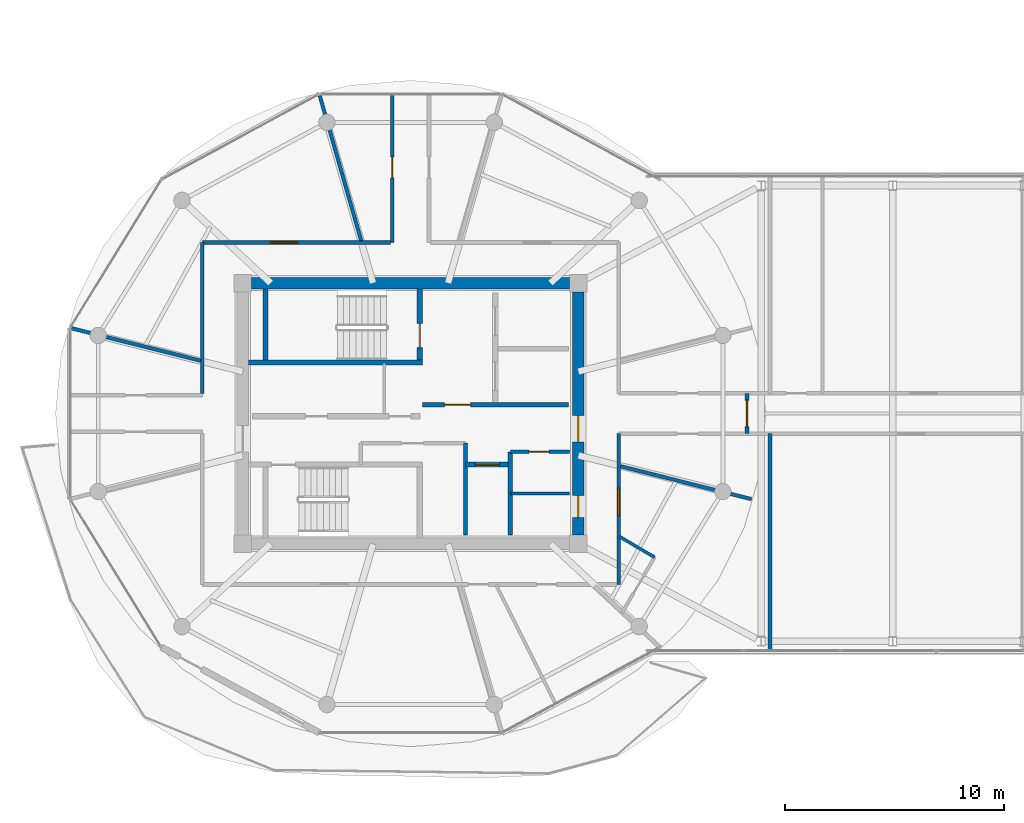
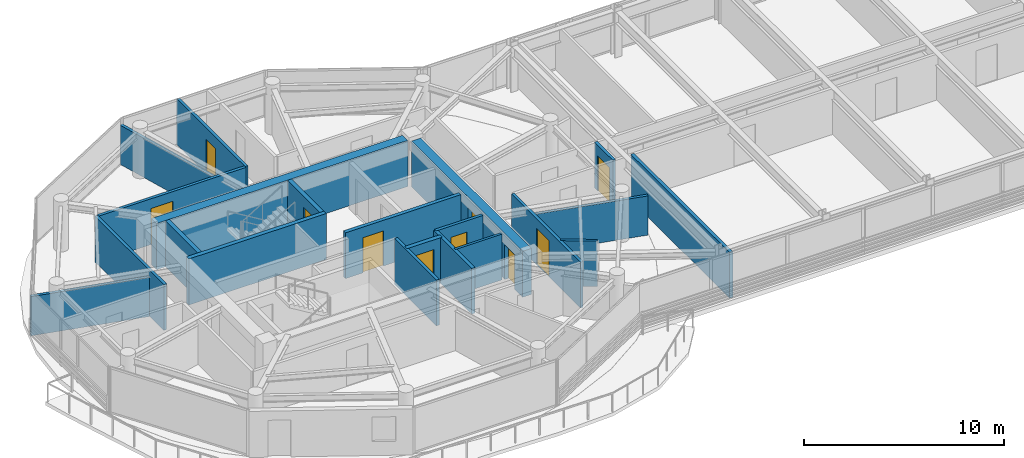
# One storey, part 15 of 23: 21 walls, 10 doors, 10 openings.
"""IFC4 building model written with IfcOpenShell, lengths in metres."""

from ifc_helpers import new_model, si_unit, direction, frame, frame_2d, origin, place, context, subcontext, project, spatial, rectangle, extrude, source, transform, mapped, material, layer, layer_set, type_object, type_shapes, element, fill, save


model = new_model("IFC4")

# Units and contexts
model_context = context("Model", 3, precision=1e-05, world=origin(), true_north=direction((0.0, 1.0)))
body_context = subcontext(model_context, "Body", "Model", "MODEL_VIEW")
ifc_project = project(units=[si_unit("LENGTHUNIT", "METRE"), si_unit("AREAUNIT", "SQUARE_METRE"), si_unit("VOLUMEUNIT", "CUBIC_METRE"), si_unit("PLANEANGLEUNIT", "RADIAN"), si_unit("MASSUNIT", "GRAM", prefix="KILO")], contexts=[model_context])

# Site, building, storey
site_placement = place(None, origin())
site = spatial("IfcSite", under=ifc_project, at=site_placement, CompositionType="ELEMENT")
building_placement = place(site_placement, origin())
building = spatial("IfcBuilding", under=site, at=building_placement, Name="Norrkilde Senior Care Towers", CompositionType="ELEMENT")
storey_placement = place(building_placement, frame((0.0, 0.0, 229.14990234375)))
storey = spatial("IfcBuildingStorey", under=building, at=storey_placement, Name="L71", CompositionType="ELEMENT", Elevation=229.14990234375)

# Wall
ifc_material_1 = material(Name="Concrete C50/60", Category="concrete")
ifc_layer_1 = layer(ifc_material_1, 0.52001953125)
ifc_layer_set_1 = layer_set([ifc_layer_1], Name="Concrete C50/60")
wall_type_1 = type_object("IfcWallType", Name="Core Shear Wall Z4 520", PredefinedType="SHEAR", material=ifc_layer_set_1)
shared_shape_1 = source(origin(), body_context, "Body", "SweptSolid", [
    extrude(rectangle(XDim=14.5, YDim=0.52001953125, at=frame_2d((7.25, 0.0))), origin(), (0.0, 0.0, 1.0), 2.81005859375),
])
wall_1_placement = place(storey_placement, frame((-35.25, 5.949951171875, 0.0), z_axis=(0.0, 0.0, 1.0), x_axis=(1.0, 0.0, 0.0)))
element("IfcWall", 1, at=wall_1_placement, inside=storey, type_object=wall_type_1, Name="L71 Core W North Shear Wall", PredefinedType="SHEAR", context=body_context, shape_type="MappedRepresentation", body=[
    mapped(shared_shape_1, transform((0.0, 0.0, 0.0), x_axis=(1.0, 0.0, 0.0), y_axis=(0.0, 1.0, 0.0), z_axis=(0.0, 0.0, 1.0), scale=1.0)),
])

# Wall, openings, doors
shared_shape_2 = source(origin(), body_context, "Body", "SweptSolid", [
    extrude(rectangle(XDim=11.10009765625, YDim=0.52001953125, at=frame_2d((5.550048828125, 0.0))), origin(), (0.0, 0.0, 1.0), 2.81005859375),
])
type_shapes(wall_type_1, [shared_shape_1, shared_shape_2])
wall_2_placement = place(storey_placement, frame((-20.35009765625, 5.550048828125, 0.0), z_axis=(0.0, 0.0, 1.0), x_axis=(0.0, -1.0, 0.0)))
wall_2 = element("IfcWall", 2, at=wall_2_placement, inside=storey, type_object=wall_type_1, Name="L71 Core W East Shear Wall", PredefinedType="SHEAR", context=body_context, shape_type="MappedRepresentation", body=[
    mapped(shared_shape_2, transform((0.0, 0.0, 0.0), x_axis=(1.0, 0.0, 0.0), y_axis=(0.0, 1.0, 0.0), z_axis=(0.0, 0.0, 1.0), scale=1.0)),
])
opening_1_placement = place(wall_2_placement, frame((5.64990234375, 0.0, 0.0)))
opening_1 = element("IfcOpeningElement", 3, at=opening_1_placement, cuts=wall_2, Name="Opening D-04", PredefinedType="OPENING", context=body_context, shape_type="SweptSolid", body=[
    extrude(rectangle(XDim=1.199951171875, YDim=2.14990234375, at=frame_2d((0.60009765625, 1.074951171875))), frame((0.0, 0.27001953125, 0.0), z_axis=(0.0, -1.0, 0.0), x_axis=(1.0, 0.0, 0.0)), (0.0, 0.0, 1.0), 0.5400390625),
])
opening_2_placement = place(wall_2_placement, frame((9.300048828125, 0.0, 0.0)))
opening_2 = element("IfcOpeningElement", 4, at=opening_2_placement, cuts=wall_2, Name="Opening D-10", PredefinedType="OPENING", context=body_context, shape_type="SweptSolid", body=[
    extrude(rectangle(XDim=1.0, YDim=2.10009765625, at=frame_2d((0.5, 1.050048828125))), frame((0.0, 0.27001953125, 0.0), z_axis=(0.0, -1.0, 0.0), x_axis=(1.0, 0.0, 0.0)), (0.0, 0.0, 1.0), 0.5400390625),
])
ifc_material_2 = material(Name="Galvanised Painted Steel", Category="steel")
door_type_1 = type_object("IfcDoorType", Name="Firefighting Lobby Fire Door 1200x2150", OperationType="NOTDEFINED", PredefinedType="DOOR", material=ifc_material_2)
shared_shape_3 = source(origin(), body_context, "Body", "SweptSolid", [
    extrude(rectangle(XDim=1.199951171875, YDim=2.14990234375, at=frame_2d((0.60009765625, 1.074951171875))), frame((0.0, 0.02490234375, 0.0), z_axis=(0.0, -1.0, 0.0), x_axis=(1.0, 0.0, 0.0)), (0.0, 0.0, 1.0), 0.050048828125),
])
type_shapes(door_type_1, [shared_shape_3])
door_1_placement = place(opening_1_placement, frame((1.199951171875, 0.0, 0.0), z_axis=(0.0, 0.0, 1.0), x_axis=(-1.0, 0.0, 0.0)))
door_1 = element("IfcDoor", 5, at=door_1_placement, inside=storey, type_object=door_type_1, Name="L71 Core W East Portal Door", OperationType="SINGLE_SWING_RIGHT", OverallHeight=2.14990234375, OverallWidth=1.199951171875, PredefinedType="DOOR", context=body_context, shape_type="MappedRepresentation", body=[
    mapped(shared_shape_3, transform((0.0, 0.0, 0.0), x_axis=(1.0, 0.0, 0.0), y_axis=(0.0, 1.0, 0.0), z_axis=(0.0, 0.0, 1.0), scale=1.0)),
])
fill(opening_1, door_1)
door_type_2 = type_object("IfcDoorType", Name="Plant and Riser Rated Door 1000x2100", OperationType="NOTDEFINED", PredefinedType="DOOR", material=ifc_material_2)
shared_shape_4 = source(origin(), body_context, "Body", "SweptSolid", [
    extrude(rectangle(XDim=1.0, YDim=2.10009765625, at=frame_2d((0.5, 1.050048828125))), frame((0.0, 0.02490234375, 0.0), z_axis=(0.0, -1.0, 0.0), x_axis=(1.0, 0.0, 0.0)), (0.0, 0.0, 1.0), 0.050048828125),
])
type_shapes(door_type_2, [shared_shape_4])
door_2_placement = place(opening_2_placement, frame((1.0, 0.0, 0.0), z_axis=(0.0, 0.0, 1.0), x_axis=(-1.0, 0.0, 0.0)))
door_2 = element("IfcDoor", 6, at=door_2_placement, inside=storey, type_object=door_type_2, Name="L71 Ventilation Riser W Door", OperationType="SINGLE_SWING_RIGHT", OverallHeight=2.10009765625, OverallWidth=1.0, PredefinedType="DOOR", context=body_context, shape_type="MappedRepresentation", body=[
    mapped(shared_shape_4, transform((0.0, 0.0, 0.0), x_axis=(1.0, 0.0, 0.0), y_axis=(0.0, 1.0, 0.0), z_axis=(0.0, 0.0, 1.0), scale=1.0)),
])
fill(opening_2, door_2)

# Wall, opening, door
ifc_material_3 = material(Name="Concrete C45/55", Category="concrete")
ifc_layer_2 = layer(ifc_material_3, 0.2099609375)
ifc_layer_set_2 = layer_set([ifc_layer_2], Name="Concrete C45/55")
wall_type_2 = type_object("IfcWallType", Name="Firefighting Lobby Wall 210", PredefinedType="PARTITIONING", material=ifc_layer_set_2)
shared_shape_5 = source(origin(), body_context, "Body", "SweptSolid", [
    extrude(rectangle(XDim=6.659912109375, YDim=0.2099609375, at=frame_2d((3.330078125, 0.0))), origin(), (0.0, 0.0, 1.0), 2.795166015625),
])
type_shapes(wall_type_2, [shared_shape_5])
wall_3_placement = place(storey_placement, frame((-27.4599609375, 0.389892578125, 0.0), z_axis=(0.0, 0.0, 1.0), x_axis=(1.0, 0.0, 0.0)))
wall_3 = element("IfcWall", 7, at=wall_3_placement, inside=storey, type_object=wall_type_2, Name="WL-INT-L71-W-FFLS", PredefinedType="PARTITIONING", context=body_context, shape_type="MappedRepresentation", body=[
    mapped(shared_shape_5, transform((0.0, 0.0, 0.0), x_axis=(1.0, 0.0, 0.0), y_axis=(0.0, 1.0, 0.0), z_axis=(0.0, 0.0, 1.0), scale=1.0)),
])
opening_3_placement = place(wall_3_placement, frame((1.0, 0.0, 0.0)))
opening_3 = element("IfcOpeningElement", 8, at=opening_3_placement, cuts=wall_3, Name="Opening D-04", PredefinedType="OPENING", context=body_context, shape_type="SweptSolid", body=[
    extrude(rectangle(XDim=1.199951171875, YDim=2.14990234375, at=frame_2d((0.60009765625, 1.074951171875))), frame((0.0, 0.114990234375, 0.0), z_axis=(0.0, -1.0, 0.0), x_axis=(1.0, 0.0, 0.0)), (0.0, 0.0, 1.0), 0.22998046875),
])
door_3_placement = place(opening_3_placement, frame((1.199951171875, 0.0, 0.0), z_axis=(0.0, 0.0, 1.0), x_axis=(-1.0, 0.0, 0.0)))
door_3 = element("IfcDoor", 9, at=door_3_placement, inside=storey, type_object=door_type_1, Name="L71 Firefighting Lobby W Door", OperationType="SINGLE_SWING_LEFT", OverallHeight=2.14990234375, OverallWidth=1.199951171875, PredefinedType="DOOR", context=body_context, shape_type="MappedRepresentation", body=[
    mapped(shared_shape_3, transform((0.0, 0.0, 0.0), x_axis=(1.0, 0.0, 0.0), y_axis=(0.0, 1.0, 0.0), z_axis=(0.0, 0.0, 1.0), scale=1.0)),
])
fill(opening_3, door_3)

# Wall
ifc_layer_3 = layer(ifc_material_3, 0.199951171875)
ifc_layer_set_3 = layer_set([ifc_layer_3], Name="Concrete C45/55")
wall_type_3 = type_object("IfcWallType", Name="Shaft Division and Plant Partition 200", PredefinedType="PARTITIONING", material=ifc_layer_set_3)
shared_shape_6 = source(origin(), body_context, "Body", "SweptSolid", [
    extrude(rectangle(XDim=3.800048828125, YDim=0.199951171875, at=frame_2d((1.89990234375, 0.0))), origin(), (0.0, 0.0, 1.0), 2.795166015625),
])
type_shapes(wall_type_3, [shared_shape_6])
wall_4_placement = place(storey_placement, frame((-23.449951171875, -5.550048828125, 0.0), z_axis=(0.0, 0.0, 1.0), x_axis=(0.0, 1.0, 0.0)))
element("IfcWall", 10, at=wall_4_placement, inside=storey, type_object=wall_type_3, Name="WL-INT-L71-W-PKBE", PredefinedType="PARTITIONING", context=body_context, shape_type="MappedRepresentation", body=[
    mapped(shared_shape_6, transform((0.0, 0.0, 0.0), x_axis=(1.0, 0.0, 0.0), y_axis=(0.0, 1.0, 0.0), z_axis=(0.0, 0.0, 1.0), scale=1.0)),
])

# Wall, opening, door
ifc_material_4 = material(Name="Gypsum Acoustic Board")
ifc_layer_4 = layer(ifc_material_4, 0.1650390625)
ifc_layer_set_4 = layer_set([ifc_layer_4], Name="Gypsum Acoustic Board")
wall_type_4 = type_object("IfcWallType", Name="Corridor Rated Partition 165", PredefinedType="PARTITIONING", material=ifc_layer_set_4)
shared_shape_7 = source(origin(), body_context, "Body", "SweptSolid", [
    extrude(rectangle(XDim=2.699951171875, YDim=0.1650390625, at=frame_2d((1.35009765625, 0.0))), origin(), (0.0, 0.0, 1.0), 2.795166015625),
])
wall_5_placement = place(storey_placement, frame((-23.449951171875, -1.75, 0.0), z_axis=(0.0, 0.0, 1.0), x_axis=(1.0, 0.0, 0.0)))
wall_5 = element("IfcWall", 11, at=wall_5_placement, inside=storey, type_object=wall_type_4, Name="WL-INT-L71-W-CSN", PredefinedType="PARTITIONING", context=body_context, shape_type="MappedRepresentation", body=[
    mapped(shared_shape_7, transform((0.0, 0.0, 0.0), x_axis=(1.0, 0.0, 0.0), y_axis=(0.0, 1.0, 0.0), z_axis=(0.0, 0.0, 1.0), scale=1.0)),
])
opening_4_placement = place(wall_5_placement, frame((0.85009765625, 0.0, 0.0)))
opening_4 = element("IfcOpeningElement", 12, at=opening_4_placement, cuts=wall_5, Name="Opening D-12", PredefinedType="OPENING", context=body_context, shape_type="SweptSolid", body=[
    extrude(rectangle(XDim=0.925048828125, YDim=2.10009765625, at=frame_2d((0.46240234375, 1.050048828125))), frame((0.0, 0.092529296875, 0.0), z_axis=(0.0, -1.0, 0.0), x_axis=(1.0, 0.0, 0.0)), (0.0, 0.0, 1.0), 0.18505859375),
])
door_type_3 = type_object("IfcDoorType", Name="Core Wet Room Rated Door 925x2100", OperationType="NOTDEFINED", PredefinedType="DOOR", material=ifc_material_2)
shared_shape_8 = source(origin(), body_context, "Body", "SweptSolid", [
    extrude(rectangle(XDim=0.925048828125, YDim=2.10009765625, at=frame_2d((0.46240234375, 1.050048828125))), frame((0.0, 0.02490234375, 0.0), z_axis=(0.0, -1.0, 0.0), x_axis=(1.0, 0.0, 0.0)), (0.0, 0.0, 1.0), 0.050048828125),
])
type_shapes(door_type_3, [shared_shape_8])
door_4_placement = place(opening_4_placement, origin())
door_4 = element("IfcDoor", 13, at=door_4_placement, inside=storey, type_object=door_type_3, Name="L71 Staff WC W Door", OperationType="SINGLE_SWING_LEFT", OverallHeight=2.10009765625, OverallWidth=0.925048828125, PredefinedType="DOOR", context=body_context, shape_type="MappedRepresentation", body=[
    mapped(shared_shape_8, transform((0.0, 0.0, 0.0), x_axis=(1.0, 0.0, 0.0), y_axis=(0.0, 1.0, 0.0), z_axis=(0.0, 0.0, 1.0), scale=1.0)),
])
fill(opening_4, door_4)

shared_shape_9 = source(origin(), body_context, "Body", "SweptSolid", [
    extrude(rectangle(XDim=8.580078125, YDim=0.1650390625, at=frame_2d((4.2900390625, 0.0))), origin(), (0.0, 0.0, 1.0), 2.795166015625),
])
wall_6_placement = place(storey_placement, frame((-37.5, 7.800048828125, 0.0), z_axis=(0.0, 0.0, 1.0), x_axis=(1.0, 0.0, 0.0)))
wall_6 = element("IfcWall", 14, at=wall_6_placement, inside=storey, type_object=wall_type_4, Name="WL-INT-L71-W-CRW-N-0", PredefinedType="PARTITIONING", context=body_context, shape_type="MappedRepresentation", body=[
    mapped(shared_shape_9, transform((0.0, 0.0, 0.0), x_axis=(1.0, 0.0, 0.0), y_axis=(0.0, 1.0, 0.0), z_axis=(0.0, 0.0, 1.0), scale=1.0)),
])
opening_5_placement = place(wall_6_placement, frame((3.110107421875, 0.0, 0.0)))
opening_5 = element("IfcOpeningElement", 15, at=opening_5_placement, cuts=wall_6, Name="Opening D-05", PredefinedType="OPENING", context=body_context, shape_type="SweptSolid", body=[
    extrude(rectangle(XDim=1.25, YDim=2.199951171875, at=frame_2d((0.625, 1.10009765625))), frame((0.0, 0.092529296875, 0.0), z_axis=(0.0, -1.0, 0.0), x_axis=(1.0, 0.0, 0.0)), (0.0, 0.0, 1.0), 0.18505859375),
])
ifc_material_5 = material(Name="Nordic Ash Timber", Category="wood")
door_type_4 = type_object("IfcDoorType", Name="Care Bedroom Bariatric Door 1250x2200", OperationType="NOTDEFINED", PredefinedType="DOOR", material=ifc_material_5)
shared_shape_10 = source(origin(), body_context, "Body", "SweptSolid", [
    extrude(rectangle(XDim=1.25, YDim=2.199951171875, at=frame_2d((0.625, 1.10009765625))), frame((0.0, 0.02490234375, 0.0), z_axis=(0.0, -1.0, 0.0), x_axis=(1.0, 0.0, 0.0)), (0.0, 0.0, 1.0), 0.050048828125),
])
type_shapes(door_type_4, [shared_shape_10])
door_5_placement = place(opening_5_placement, frame((1.25, 0.0, 0.0), z_axis=(0.0, 0.0, 1.0), x_axis=(-1.0, 0.0, 0.0)))
door_5 = element("IfcDoor", 16, at=door_5_placement, inside=storey, type_object=door_type_4, Name="L71 Geriatric Rehabilitation Clinic Door", OperationType="SINGLE_SWING_RIGHT", OverallHeight=2.199951171875, OverallWidth=1.25, PredefinedType="DOOR", context=body_context, shape_type="MappedRepresentation", body=[
    mapped(shared_shape_10, transform((0.0, 0.0, 0.0), x_axis=(1.0, 0.0, 0.0), y_axis=(0.0, 1.0, 0.0), z_axis=(0.0, 0.0, 1.0), scale=1.0)),
])
fill(opening_5, door_5)

# Wall
shared_shape_11 = source(origin(), body_context, "Body", "SweptSolid", [
    extrude(rectangle(XDim=6.880126953125, YDim=0.1650390625, at=frame_2d((3.43994140625, 0.0))), origin(), (0.0, 0.0, 1.0), 2.795166015625),
])
wall_7_placement = place(storey_placement, frame((-37.5, 0.919921875, 0.0), z_axis=(0.0, 0.0, 1.0), x_axis=(0.0, 1.0, 0.0)))
element("IfcWall", 17, at=wall_7_placement, inside=storey, type_object=wall_type_4, Name="WL-INT-L71-W-CRW-W-1", PredefinedType="PARTITIONING", context=body_context, shape_type="MappedRepresentation", body=[
    mapped(shared_shape_11, transform((0.0, 0.0, 0.0), x_axis=(1.0, 0.0, 0.0), y_axis=(0.0, 1.0, 0.0), z_axis=(0.0, 0.0, 1.0), scale=1.0)),
])

# Wall, opening, door
wall_8_placement = place(storey_placement, frame((-18.5, -0.919921875, 0.0), z_axis=(0.0, 0.0, 1.0), x_axis=(0.0, -1.0, 0.0)))
wall_8 = element("IfcWall", 18, at=wall_8_placement, inside=storey, type_object=wall_type_4, Name="WL-INT-L71-W-CRW-E-1", PredefinedType="PARTITIONING", context=body_context, shape_type="MappedRepresentation", body=[
    mapped(shared_shape_11, transform((0.0, 0.0, 0.0), x_axis=(1.0, 0.0, 0.0), y_axis=(0.0, 1.0, 0.0), z_axis=(0.0, 0.0, 1.0), scale=1.0)),
])
opening_6_placement = place(wall_8_placement, frame((2.48583984375, 0.0, 0.0)))
opening_6 = element("IfcOpeningElement", 19, at=opening_6_placement, cuts=wall_8, Name="Opening D-05", PredefinedType="OPENING", context=body_context, shape_type="SweptSolid", body=[
    extrude(rectangle(XDim=1.25, YDim=2.199951171875, at=frame_2d((0.625, 1.10009765625))), frame((0.0, 0.092529296875, 0.0), z_axis=(0.0, -1.0, 0.0), x_axis=(1.0, 0.0, 0.0)), (0.0, 0.0, 1.0), 0.18505859375),
])
door_6_placement = place(opening_6_placement, frame((1.25, 0.0, 0.0), z_axis=(0.0, 0.0, 1.0), x_axis=(-1.0, 0.0, 0.0)))
door_6 = element("IfcDoor", 20, at=door_6_placement, inside=storey, type_object=door_type_4, Name="L71 Care Suite 7110 Entrance Door", OperationType="SINGLE_SWING_LEFT", OverallHeight=2.199951171875, OverallWidth=1.25, PredefinedType="DOOR", context=body_context, shape_type="MappedRepresentation", body=[
    mapped(shared_shape_10, transform((0.0, 0.0, 0.0), x_axis=(1.0, 0.0, 0.0), y_axis=(0.0, 1.0, 0.0), z_axis=(0.0, 0.0, 1.0), scale=1.0)),
])
fill(opening_6, door_6)

ifc_layer_5 = layer(ifc_material_3, 0.239990234375)
ifc_layer_set_5 = layer_set([ifc_layer_5], Name="Concrete C45/55")
wall_type_5 = type_object("IfcWallType", Name="Lift and Plant Rated Enclosure Partition 240", PredefinedType="PARTITIONING", material=ifc_layer_set_5)
shared_shape_12 = source(origin(), body_context, "Body", "SweptSolid", [
    extrude(rectangle(XDim=2.050048828125, YDim=0.239990234375, at=frame_2d((1.02490234375, 0.0))), origin(), (0.0, 0.0, 1.0), 2.795166015625),
])
type_shapes(wall_type_5, [shared_shape_12])
wall_9_placement = place(storey_placement, frame((-25.5, -2.330078125, 0.0), z_axis=(0.0, 0.0, 1.0), x_axis=(1.0, 0.0, 0.0)))
wall_9 = element("IfcWall", 21, at=wall_9_placement, inside=storey, type_object=wall_type_5, Name="WL-INT-L71-W-PL4N", PredefinedType="PARTITIONING", context=body_context, shape_type="MappedRepresentation", body=[
    mapped(shared_shape_12, transform((0.0, 0.0, 0.0), x_axis=(1.0, 0.0, 0.0), y_axis=(0.0, 1.0, 0.0), z_axis=(0.0, 0.0, 1.0), scale=1.0)),
])
opening_7_placement = place(wall_9_placement, frame((0.449951171875, 0.0, 0.0)))
opening_7 = element("IfcOpeningElement", 22, at=opening_7_placement, cuts=wall_9, Name="Opening LD-01", PredefinedType="OPENING", context=body_context, shape_type="SweptSolid", body=[
    extrude(rectangle(XDim=1.10009765625, YDim=2.199951171875, at=frame_2d((0.550048828125, 1.10009765625))), frame((0.0, 0.1298828125, 0.0), z_axis=(0.0, -1.0, 0.0), x_axis=(1.0, 0.0, 0.0)), (0.0, 0.0, 1.0), 0.260009765625),
])
ifc_material_6 = material(Name="Stainless Steel", Category="steel")
door_type_5 = type_object("IfcDoorType", Name="Lift Landing Sliding Door 1100x2200", OperationType="NOTDEFINED", PredefinedType="DOOR", material=ifc_material_6)
shared_shape_13 = source(origin(), body_context, "Body", "SweptSolid", [
    extrude(rectangle(XDim=1.10009765625, YDim=2.199951171875, at=frame_2d((0.550048828125, 1.10009765625))), frame((0.0, 0.02490234375, 0.0), z_axis=(0.0, -1.0, 0.0), x_axis=(1.0, 0.0, 0.0)), (0.0, 0.0, 1.0), 0.050048828125),
])
type_shapes(door_type_5, [shared_shape_13])
door_7_placement = place(opening_7_placement, frame((1.10009765625, 0.0, 0.0), z_axis=(0.0, 0.0, 1.0), x_axis=(-1.0, 0.0, 0.0)))
door_7 = element("IfcDoor", 23, at=door_7_placement, inside=storey, type_object=door_type_5, Name="L71 Passenger Lift W4 Landing Door", OperationType="SLIDING_TO_RIGHT", OverallHeight=2.199951171875, OverallWidth=1.10009765625, PredefinedType="DOOR", context=body_context, shape_type="MappedRepresentation", body=[
    mapped(shared_shape_13, transform((0.0, 0.0, 0.0), x_axis=(1.0, 0.0, 0.0), y_axis=(0.0, 1.0, 0.0), z_axis=(0.0, 0.0, 1.0), scale=1.0)),
])
fill(opening_7, door_7)

# Walls
ifc_layer_6 = layer(ifc_material_3, 0.179931640625)
ifc_layer_set_6 = layer_set([ifc_layer_6], Name="Concrete C45/55")
wall_type_6 = type_object("IfcWallType", Name="Hoistway Division Rated Partition 180", PredefinedType="PARTITIONING", material=ifc_layer_set_6)
shared_shape_14 = source(origin(), body_context, "Body", "SweptSolid", [
    extrude(rectangle(XDim=4.199951171875, YDim=0.179931640625, at=frame_2d((2.10009765625, 0.0))), origin(), (0.0, 0.0, 1.0), 2.795166015625),
])
type_shapes(wall_type_6, [shared_shape_14])
wall_10_placement = place(storey_placement, frame((-25.5, -5.550048828125, 0.0), z_axis=(0.0, 0.0, 1.0), x_axis=(0.0, 1.0, 0.0)))
element("IfcWall", 24, at=wall_10_placement, inside=storey, type_object=wall_type_6, Name="WL-INT-L71-W-PL4W", PredefinedType="PARTITIONING", context=body_context, shape_type="MappedRepresentation", body=[
    mapped(shared_shape_14, transform((0.0, 0.0, 0.0), x_axis=(1.0, 0.0, 0.0), y_axis=(0.0, 1.0, 0.0), z_axis=(0.0, 0.0, 1.0), scale=1.0)),
])
ifc_layer_7 = layer(ifc_material_4, 0.139892578125)
ifc_layer_set_7 = layer_set([ifc_layer_7], Name="Gypsum Acoustic Board")
wall_type_7 = type_object("IfcWallType", Name="En-suite Wet Room Wall 140", PredefinedType="PARTITIONING", material=ifc_layer_set_7)
shared_shape_15 = source(origin(), body_context, "Body", "SweptSolid", [
    extrude(rectangle(XDim=2.699951171875, YDim=0.139892578125, at=frame_2d((1.35009765625, 0.0))), origin(), (0.0, 0.0, 1.0), 2.795166015625),
])
wall_11_placement = place(storey_placement, frame((-23.449951171875, -3.64990234375, 0.0), z_axis=(0.0, 0.0, 1.0), x_axis=(1.0, 0.0, 0.0)))
element("IfcWall", 25, at=wall_11_placement, inside=storey, type_object=wall_type_7, Name="WL-INT-L71-W-CS2H", PredefinedType="PARTITIONING", context=body_context, shape_type="MappedRepresentation", body=[
    mapped(shared_shape_15, transform((0.0, 0.0, 0.0), x_axis=(1.0, 0.0, 0.0), y_axis=(0.0, 1.0, 0.0), z_axis=(0.0, 0.0, 1.0), scale=1.0)),
])
ifc_layer_8 = layer(ifc_material_3, 0.239990234375)
ifc_layer_set_8 = layer_set([ifc_layer_8], Name="Concrete C45/55")
wall_type_8 = type_object("IfcWallType", Name="Shaft and Stair Enclosure Wall 240", PredefinedType="PARTITIONING", material=ifc_layer_set_8)
shared_shape_16 = source(origin(), body_context, "Body", "SweptSolid", [
    extrude(rectangle(XDim=7.929931640625, YDim=0.239990234375, at=frame_2d((3.96484375, 0.0))), origin(), (0.0, 0.0, 1.0), 2.81005859375),
])
wall_12_placement = place(storey_placement, frame((-35.389892578125, 2.330078125, 0.0), z_axis=(0.0, 0.0, 1.0), x_axis=(1.0, 0.0, 0.0)))
element("IfcWall", 26, at=wall_12_placement, inside=storey, type_object=wall_type_8, Name="WL-INT-L71-W-ST1S", PredefinedType="PARTITIONING", context=body_context, shape_type="MappedRepresentation", body=[
    mapped(shared_shape_16, transform((0.0, 0.0, 0.0), x_axis=(1.0, 0.0, 0.0), y_axis=(0.0, 1.0, 0.0), z_axis=(0.0, 0.0, 1.0), scale=1.0)),
])
shared_shape_17 = source(origin(), body_context, "Body", "SweptSolid", [
    extrude(rectangle(XDim=3.239990234375, YDim=0.239990234375, at=frame_2d((1.6201171875, 0.0))), origin(), (0.0, 0.0, 1.0), 2.81005859375),
])
type_shapes(wall_type_8, [shared_shape_16, shared_shape_17])
wall_13_placement = place(storey_placement, frame((-34.6201171875, 2.449951171875, 0.0), z_axis=(0.0, 0.0, 1.0), x_axis=(0.0, 1.0, 0.0)))
element("IfcWall", 27, at=wall_13_placement, inside=storey, type_object=wall_type_8, Name="WL-INT-L71-W-ST1W", PredefinedType="PARTITIONING", context=body_context, shape_type="MappedRepresentation", body=[
    mapped(shared_shape_17, transform((0.0, 0.0, 0.0), x_axis=(1.0, 0.0, 0.0), y_axis=(0.0, 1.0, 0.0), z_axis=(0.0, 0.0, 1.0), scale=1.0)),
])

# Wall, opening, door
wall_14_placement = place(storey_placement, frame((-27.580078125, 2.449951171875, 0.0), z_axis=(0.0, 0.0, 1.0), x_axis=(0.0, 1.0, 0.0)))
wall_14 = element("IfcWall", 28, at=wall_14_placement, inside=storey, type_object=wall_type_8, Name="WL-INT-L71-W-ST1E", PredefinedType="PARTITIONING", context=body_context, shape_type="MappedRepresentation", body=[
    mapped(shared_shape_17, transform((0.0, 0.0, 0.0), x_axis=(1.0, 0.0, 0.0), y_axis=(0.0, 1.0, 0.0), z_axis=(0.0, 0.0, 1.0), scale=1.0)),
])
opening_8_placement = place(wall_14_placement, frame((0.550048828125, 0.0, 0.0)))
opening_8 = element("IfcOpeningElement", 29, at=opening_8_placement, cuts=wall_14, Name="Opening D-03", PredefinedType="OPENING", context=body_context, shape_type="SweptSolid", body=[
    extrude(rectangle(XDim=1.10009765625, YDim=2.14990234375, at=frame_2d((0.550048828125, 1.074951171875))), frame((0.0, 0.1298828125, 0.0), z_axis=(0.0, -1.0, 0.0), x_axis=(1.0, 0.0, 0.0)), (0.0, 0.0, 1.0), 0.260009765625),
])
door_type_6 = type_object("IfcDoorType", Name="Stairwell Protected Fire Door 1100x2150", OperationType="NOTDEFINED", PredefinedType="DOOR", material=ifc_material_2)
shared_shape_18 = source(origin(), body_context, "Body", "SweptSolid", [
    extrude(rectangle(XDim=1.10009765625, YDim=2.14990234375, at=frame_2d((0.550048828125, 1.074951171875))), frame((0.0, 0.02490234375, 0.0), z_axis=(0.0, -1.0, 0.0), x_axis=(1.0, 0.0, 0.0)), (0.0, 0.0, 1.0), 0.050048828125),
])
type_shapes(door_type_6, [shared_shape_18])
door_8_placement = place(opening_8_placement, origin())
door_8 = element("IfcDoor", 30, at=door_8_placement, inside=storey, type_object=door_type_6, Name="L71 Stair W1 Fire Door", OperationType="SINGLE_SWING_LEFT", OverallHeight=2.14990234375, OverallWidth=1.10009765625, PredefinedType="DOOR", context=body_context, shape_type="MappedRepresentation", body=[
    mapped(shared_shape_18, transform((0.0, 0.0, 0.0), x_axis=(1.0, 0.0, 0.0), y_axis=(0.0, 1.0, 0.0), z_axis=(0.0, 0.0, 1.0), scale=1.0)),
])
fill(opening_8, door_8)

# Walls
shared_shape_19 = source(origin(), body_context, "Body", "SweptSolid", [
    extrude(rectangle(XDim=6.973876953125, YDim=0.1650390625, at=frame_2d((3.48681640625, 0.0))), origin(), (0.0, 0.0, 1.0), 2.39501953125),
])
wall_15_placement = place(storey_placement, frame((-30.251220703125, 7.8798828125, 0.0), z_axis=(0.0, 0.0, 1.0), x_axis=(-0.274707256801, 0.961527910703, 0.0)))
element("IfcWall", 31, at=wall_15_placement, inside=storey, type_object=wall_type_4, Name="WL-INT-L71-W-DEM-03-0", PredefinedType="PARTITIONING", context=body_context, shape_type="MappedRepresentation", body=[
    mapped(shared_shape_19, transform((0.0, 0.0, 0.0), x_axis=(1.0, 0.0, 0.0), y_axis=(0.0, 1.0, 0.0), z_axis=(0.0, 0.0, 1.0), scale=1.0)),
])
shared_shape_20 = source(origin(), body_context, "Body", "SweptSolid", [
    extrude(rectangle(XDim=6.1572265625, YDim=0.1650390625, at=frame_2d((3.07861328125, 0.0))), origin(), (0.0, 0.0, 1.0), 2.39501953125),
])
for number, where, z_axis, x_axis, name in (
    (32, (-37.580078125, 2.407470703125, 0.0), (0.0, 0.0, 1.0), (-0.969840867184, 0.243738984038, 0.0), "WL-INT-L71-W-DEM-05-0"),
    (33, (-18.419921875, -2.407470703125, 0.0), (0.0, 0.0, 1.0), (0.969840867184, -0.243738984038, 0.0), "WL-INT-L71-W-DEM-11-0"),
):
    element("IfcWall", number, at=place(storey_placement, frame(where, z_axis=z_axis, x_axis=x_axis)), inside=storey, type_object=wall_type_4, Name=name, PredefinedType="PARTITIONING", context=body_context, shape_type="MappedRepresentation", body=[
        mapped(shared_shape_20, transform((0.0, 0.0, 0.0), x_axis=(1.0, 0.0, 0.0), y_axis=(0.0, 1.0, 0.0), z_axis=(0.0, 0.0, 1.0), scale=1.0)),
    ])

# Wall, opening, door
shared_shape_21 = source(origin(), body_context, "Body", "SweptSolid", [
    extrude(rectangle(XDim=6.83544921875, YDim=0.1650390625, at=frame_2d((3.417724609375, 0.0))), origin(), (0.0, 0.0, 1.0), 2.795166015625),
])
wall_16_placement = place(storey_placement, frame((-28.840087890625, 7.800048828125, 0.0), z_axis=(0.0, 0.0, 1.0), x_axis=(0.0, 1.0, 0.0)))
wall_16 = element("IfcWall", 34, at=wall_16_placement, inside=storey, type_object=wall_type_4, Name="WL-INT-L71-W-SPK-N1-0", PredefinedType="PARTITIONING", context=body_context, shape_type="MappedRepresentation", body=[
    mapped(shared_shape_21, transform((0.0, 0.0, 0.0), x_axis=(1.0, 0.0, 0.0), y_axis=(0.0, 1.0, 0.0), z_axis=(0.0, 0.0, 1.0), scale=1.0)),
])
opening_9_placement = place(wall_16_placement, frame((2.942626953125, 0.0, 0.0)))
opening_9 = element("IfcOpeningElement", 35, at=opening_9_placement, cuts=wall_16, Name="Opening D-07", PredefinedType="OPENING", context=body_context, shape_type="SweptSolid", body=[
    extrude(rectangle(XDim=0.949951171875, YDim=2.10009765625, at=frame_2d((0.47509765625, 1.050048828125))), frame((0.0, 0.092529296875, 0.0), z_axis=(0.0, -1.0, 0.0), x_axis=(1.0, 0.0, 0.0)), (0.0, 0.0, 1.0), 0.18505859375),
])
door_type_7 = type_object("IfcDoorType", Name="Internal Suite Bedroom Door 950x2100", OperationType="NOTDEFINED", PredefinedType="DOOR", material=ifc_material_5)
shared_shape_22 = source(origin(), body_context, "Body", "SweptSolid", [
    extrude(rectangle(XDim=0.949951171875, YDim=2.10009765625, at=frame_2d((0.47509765625, 1.050048828125))), frame((0.0, 0.02490234375, 0.0), z_axis=(0.0, -1.0, 0.0), x_axis=(1.0, 0.0, 0.0)), (0.0, 0.0, 1.0), 0.050048828125),
])
type_shapes(door_type_7, [shared_shape_22])
door_9_placement = place(opening_9_placement, frame((0.949951171875, 0.0, 0.0), z_axis=(0.0, 0.0, 1.0), x_axis=(-1.0, 0.0, 0.0)))
door_9 = element("IfcDoor", 36, at=door_9_placement, inside=storey, type_object=door_type_7, Name="L71 Sun Reading Lounge 3 Door", OperationType="SINGLE_SWING_RIGHT", OverallHeight=2.10009765625, OverallWidth=0.949951171875, PredefinedType="DOOR", context=body_context, shape_type="MappedRepresentation", body=[
    mapped(shared_shape_22, transform((0.0, 0.0, 0.0), x_axis=(1.0, 0.0, 0.0), y_axis=(0.0, 1.0, 0.0), z_axis=(0.0, 0.0, 1.0), scale=1.0)),
])
fill(opening_9, door_9)

# Wall
shared_shape_23 = source(origin(), body_context, "Body", "SweptSolid", [
    extrude(rectangle(XDim=1.859130859375, YDim=0.139892578125, at=frame_2d((0.9296875, 0.0))), origin(), (0.0, 0.0, 1.0), 2.795166015625),
])
type_shapes(wall_type_7, [shared_shape_15, shared_shape_23])
wall_17_placement = place(storey_placement, frame((-18.469970703125, -5.615478515625, 0.0), z_axis=(0.0, 0.0, 1.0), x_axis=(0.861555897139, -0.507662718845, 0.0)))
element("IfcWall", 37, at=wall_17_placement, inside=storey, type_object=wall_type_7, Name="WL-INT-L71-W-ES-10", PredefinedType="PARTITIONING", context=body_context, shape_type="MappedRepresentation", body=[
    mapped(shared_shape_23, transform((0.0, 0.0, 0.0), x_axis=(1.0, 0.0, 0.0), y_axis=(0.0, 1.0, 0.0), z_axis=(0.0, 0.0, 1.0), scale=1.0)),
])

# Wall, opening, door
shared_shape_24 = source(origin(), body_context, "Body", "SweptSolid", [
    extrude(rectangle(XDim=1.83984375, YDim=0.1650390625, at=frame_2d((0.919921875, 0.0))), origin(), (0.0, 0.0, 1.0), 2.795166015625),
])
type_shapes(wall_type_4, [shared_shape_7, shared_shape_9, shared_shape_11, shared_shape_19, shared_shape_20, shared_shape_21, shared_shape_24])
wall_18_placement = place(storey_placement, frame((-12.64990234375, -0.919921875, 0.0), z_axis=(0.0, 0.0, 1.0), x_axis=(0.0, 1.0, 0.0)))
wall_18 = element("IfcWall", 38, at=wall_18_placement, inside=storey, type_object=wall_type_4, Name="WL-INT-L71-BR-GW", PredefinedType="PARTITIONING", context=body_context, shape_type="MappedRepresentation", body=[
    mapped(shared_shape_24, transform((0.0, 0.0, 0.0), x_axis=(1.0, 0.0, 0.0), y_axis=(0.0, 1.0, 0.0), z_axis=(0.0, 0.0, 1.0), scale=1.0)),
])
opening_10_placement = place(wall_18_placement, frame((0.320068359375, 0.0, 0.0)))
opening_10 = element("IfcOpeningElement", 39, at=opening_10_placement, cuts=wall_18, Name="Opening D-04", PredefinedType="OPENING", context=body_context, shape_type="SweptSolid", body=[
    extrude(rectangle(XDim=1.199951171875, YDim=2.14990234375, at=frame_2d((0.60009765625, 1.074951171875))), frame((0.0, 0.092529296875, 0.0), z_axis=(0.0, -1.0, 0.0), x_axis=(1.0, 0.0, 0.0)), (0.0, 0.0, 1.0), 0.18505859375),
])
door_10_placement = place(opening_10_placement, frame((1.199951171875, 0.0, 0.0), z_axis=(0.0, 0.0, 1.0), x_axis=(-1.0, 0.0, 0.0)))
door_10 = element("IfcDoor", 40, at=door_10_placement, inside=storey, type_object=door_type_1, Name="L71 Sky-Gate Bridge GW Fire Door", OperationType="SINGLE_SWING_LEFT", OverallHeight=2.14990234375, OverallWidth=1.199951171875, PredefinedType="DOOR", context=body_context, shape_type="MappedRepresentation", body=[
    mapped(shared_shape_3, transform((0.0, 0.0, 0.0), x_axis=(1.0, 0.0, 0.0), y_axis=(0.0, 1.0, 0.0), z_axis=(0.0, 0.0, 1.0), scale=1.0)),
])
fill(opening_10, door_10)

# Wall
ifc_layer_9 = layer(ifc_material_4, 0.18994140625)
ifc_layer_set_9 = layer_set([ifc_layer_9], Name="Gypsum Acoustic Board")
wall_type_9 = type_object("IfcWallType", Name="Unit Demising Acoustic Wall 190", PredefinedType="PARTITIONING", material=ifc_layer_set_9)
shared_shape_25 = source(origin(), body_context, "Body", "SweptSolid", [
    extrude(rectangle(XDim=9.880126953125, YDim=0.18994140625, at=frame_2d((4.93994140625, 0.0))), origin(), (0.0, 0.0, 1.0), 2.795166015625),
])
type_shapes(wall_type_9, [shared_shape_25])
wall_19_placement = place(storey_placement, frame((-11.60009765625, -10.800048828125, 0.0), z_axis=(0.0, 0.0, 1.0), x_axis=(0.0, 1.0, 0.0)))
element("IfcWall", 41, at=wall_19_placement, inside=storey, type_object=wall_type_9, Name="WL-INT-L71-BR-ES-12", PredefinedType="PARTITIONING", context=body_context, shape_type="MappedRepresentation", body=[
    mapped(shared_shape_25, transform((0.0, 0.0, 0.0), x_axis=(1.0, 0.0, 0.0), y_axis=(0.0, 1.0, 0.0), z_axis=(0.0, 0.0, 1.0), scale=1.0)),
])

save(model, "model.ifc")
